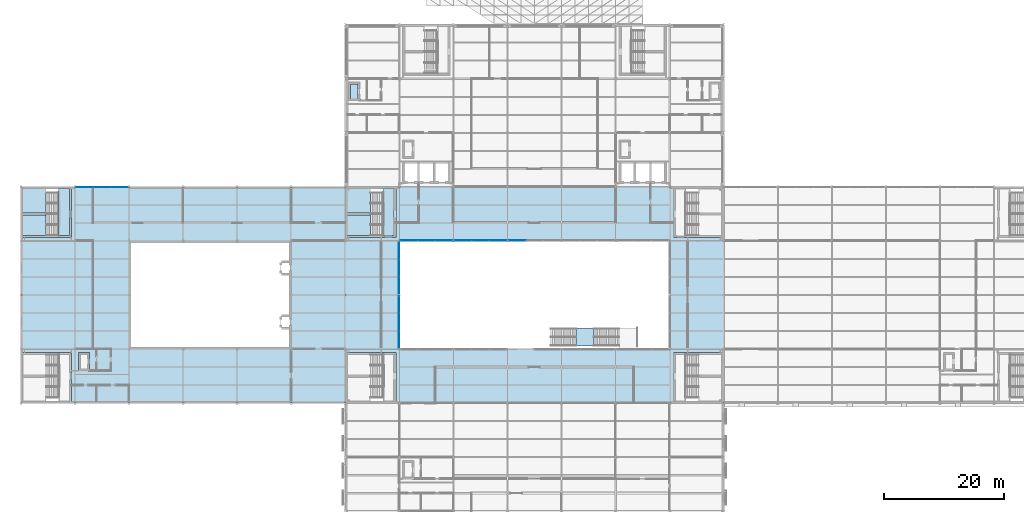
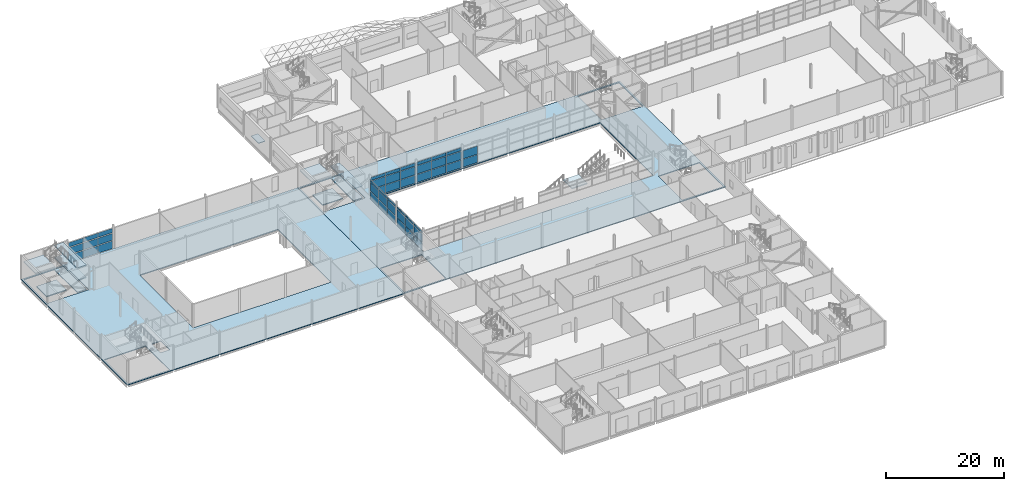
# One storey, part 69 of 112: 47 plates, 13 slabs, 9 elements without a shape of their own.
"""IFC4 building model written with IfcOpenShell, lengths in metres."""

from ifc_helpers import new_model, si_unit, direction, frame, origin, origin_2d, place, context, subcontext, project, spatial, polyline, rectangle, outline, extrude, material, layer, layer_set, type_object, element, aggregate, save


model = new_model("IFC4")

# Units and contexts
model_context = context("Model", 3, precision=1e-05, world=origin(), true_north=direction((0.0, 1.0)))
body_context = subcontext(model_context, "Body", "Model", "MODEL_VIEW")
ifc_project = project(units=[si_unit("LENGTHUNIT", "METRE"), si_unit("AREAUNIT", "SQUARE_METRE"), si_unit("VOLUMEUNIT", "CUBIC_METRE"), si_unit("PLANEANGLEUNIT", "RADIAN"), si_unit("MASSUNIT", "GRAM", prefix="KILO")], contexts=[model_context])

# Site, building, storey
site_placement = place(None, origin())
site = spatial("IfcSite", under=ifc_project, at=site_placement, CompositionType="ELEMENT")
building_placement = place(site_placement, origin())
building = spatial("IfcBuilding", under=site, at=building_placement, Name="Shorebreak Coast Museum", CompositionType="ELEMENT")
storey_placement = place(building_placement, frame((0.0, 0.0, 6.0)))
storey = spatial("IfcBuildingStorey", under=building, at=storey_placement, Name="L01", CompositionType="ELEMENT", Elevation=6.0)

# Stair, slab
ifc_material_1 = material(Name="Concrete N40 (40 MPa)", Category="concrete")
stair_type_1 = type_object("IfcStairType", Name="Feature stair run 5 m", PredefinedType="TWO_STRAIGHT_RUN_STAIR", material=ifc_material_1)
stair_1_placement = place(storey_placement, origin())
stair_1 = element("IfcStair", 1, at=stair_1_placement, inside=storey, type_object=stair_type_1, Name="Feature stair FS-L01", PredefinedType="TWO_STRAIGHT_RUN_STAIR")
ifc_material_2 = material(Name="Concrete N40 (40 MPa)", Category="concrete")
ifc_layer_1 = layer(ifc_material_2, 0.199951171875)
ifc_layer_set_1 = layer_set([ifc_layer_1], Name="Concrete N40 (40 MPa)")
slab_type_1 = type_object("IfcSlabType", Name="Feature stair landing 200", PredefinedType="LANDING", material=ifc_layer_set_1)
slab_1_placement = place(storey_placement, frame((0.0, 0.0, 2.300048828125)))
slab_1 = element("IfcSlab", 2, at=slab_1_placement, type_object=slab_type_1, Name="FS-L01 landing 1", PredefinedType="LANDING", context=body_context, shape_type="SweptSolid", body=[
    extrude(outline(polyline([(92.39990234375, 63.5), (95.39990234375, 63.5), (95.39990234375, 66.5), (92.39990234375, 66.5), (92.39990234375, 63.5)])), origin(), (0.0, 0.0, 1.0), 0.199951171875),
])
aggregate(stair_1, [slab_1])

# Curtain wall, plates
ifc_material_3 = material(Name="Aluminium", Category="aluminium")
ifc_layer_2 = layer(ifc_material_3, 0.1201171875)
ifc_layer_set_2 = layer_set([ifc_layer_2], Name="Aluminium")
curtain_wall_type_1 = type_object("IfcCurtainWallType", Name="Atrium fire screen", PredefinedType="NOTDEFINED", material=ifc_layer_set_2)
curtain_wall_1_placement = place(storey_placement, origin())
curtain_wall_1 = element("IfcCurtainWall", 3, at=curtain_wall_1_placement, inside=storey, type_object=curtain_wall_type_1, Name="Atrium screen L01 N 7", PredefinedType="NOTDEFINED")
ifc_material_4 = material(Name="Glass", Category="glass")
ifc_layer_3 = layer(ifc_material_4, 0.034912109375)
ifc_layer_set_3 = layer_set([ifc_layer_3], Name="Glass")
plate_type_1 = type_object("IfcPlateType", Name="Fire-resisting glass panel 35", PredefinedType="CURTAIN_PANEL", material=ifc_layer_set_3)
plate_1_placement = place(storey_placement, frame((64.6162109375, 81.06005859375, 0.119873046875), z_axis=(0.0, 0.0, 1.0), x_axis=(1.0, 0.0, 0.0)))
plate_1 = element("IfcPlate", 4, at=plate_1_placement, type_object=plate_type_1, Name="CW5 panel 1.1", PredefinedType="CURTAIN_PANEL", context=body_context, shape_type="SweptSolid", body=[
    extrude(rectangle(XDim=2.8212890625, YDim=0.034912109375, at=origin_2d()), origin(), (0.0, 0.0, 1.0), 1.6201171875),
])
plate_2_placement = place(storey_placement, frame((64.6162109375, 81.06005859375, 1.85986328125), z_axis=(0.0, 0.0, 1.0), x_axis=(1.0, 0.0, 0.0)))
plate_2 = element("IfcPlate", 5, at=plate_2_placement, type_object=plate_type_1, Name="CW5 panel 1.2", PredefinedType="CURTAIN_PANEL", context=body_context, shape_type="SweptSolid", body=[
    extrude(rectangle(XDim=2.8212890625, YDim=0.034912109375, at=origin_2d()), origin(), (0.0, 0.0, 1.0), 1.679931640625),
])
plate_3_placement = place(storey_placement, frame((64.6162109375, 81.06005859375, 3.66015625), z_axis=(0.0, 0.0, 1.0), x_axis=(1.0, 0.0, 0.0)))
plate_3 = element("IfcPlate", 6, at=plate_3_placement, type_object=plate_type_1, Name="CW5 panel 1.3", PredefinedType="CURTAIN_PANEL", context=body_context, shape_type="SweptSolid", body=[
    extrude(rectangle(XDim=2.8212890625, YDim=0.034912109375, at=origin_2d()), origin(), (0.0, 0.0, 1.0), 0.642333984375),
])
plate_4_placement = place(storey_placement, frame((67.5, 81.06005859375, 0.119873046875), z_axis=(0.0, 0.0, 1.0), x_axis=(1.0, 0.0, 0.0)))
plate_4 = element("IfcPlate", 7, at=plate_4_placement, type_object=plate_type_1, Name="CW5 panel 2.1", PredefinedType="CURTAIN_PANEL", context=body_context, shape_type="SweptSolid", body=[
    extrude(rectangle(XDim=2.846435546875, YDim=0.034912109375, at=origin_2d()), origin(), (0.0, 0.0, 1.0), 1.6201171875),
])
plate_5_placement = place(storey_placement, frame((67.5, 81.06005859375, 1.85986328125), z_axis=(0.0, 0.0, 1.0), x_axis=(1.0, 0.0, 0.0)))
plate_5 = element("IfcPlate", 8, at=plate_5_placement, type_object=plate_type_1, Name="CW5 panel 2.2", PredefinedType="CURTAIN_PANEL", context=body_context, shape_type="SweptSolid", body=[
    extrude(rectangle(XDim=2.846435546875, YDim=0.034912109375, at=origin_2d()), origin(), (0.0, 0.0, 1.0), 1.679931640625),
])
plate_6_placement = place(storey_placement, frame((67.5, 81.06005859375, 3.66015625), z_axis=(0.0, 0.0, 1.0), x_axis=(1.0, 0.0, 0.0)))
plate_6 = element("IfcPlate", 9, at=plate_6_placement, type_object=plate_type_1, Name="CW5 panel 2.3", PredefinedType="CURTAIN_PANEL", context=body_context, shape_type="SweptSolid", body=[
    extrude(rectangle(XDim=2.846435546875, YDim=0.034912109375, at=origin_2d()), origin(), (0.0, 0.0, 1.0), 0.642333984375),
])
plate_7_placement = place(storey_placement, frame((70.3837890625, 81.06005859375, 0.119873046875), z_axis=(0.0, 0.0, 1.0), x_axis=(1.0, 0.0, 0.0)))
plate_7 = element("IfcPlate", 10, at=plate_7_placement, type_object=plate_type_1, Name="CW5 panel 3.1", PredefinedType="CURTAIN_PANEL", context=body_context, shape_type="SweptSolid", body=[
    extrude(rectangle(XDim=2.8212890625, YDim=0.034912109375, at=origin_2d()), origin(), (0.0, 0.0, 1.0), 1.6201171875),
])
plate_8_placement = place(storey_placement, frame((70.3837890625, 81.06005859375, 1.85986328125), z_axis=(0.0, 0.0, 1.0), x_axis=(1.0, 0.0, 0.0)))
plate_8 = element("IfcPlate", 11, at=plate_8_placement, type_object=plate_type_1, Name="CW5 panel 3.2", PredefinedType="CURTAIN_PANEL", context=body_context, shape_type="SweptSolid", body=[
    extrude(rectangle(XDim=2.8212890625, YDim=0.034912109375, at=origin_2d()), origin(), (0.0, 0.0, 1.0), 1.679931640625),
])
plate_9_placement = place(storey_placement, frame((70.3837890625, 81.06005859375, 3.66015625), z_axis=(0.0, 0.0, 1.0), x_axis=(1.0, 0.0, 0.0)))
plate_9 = element("IfcPlate", 12, at=plate_9_placement, type_object=plate_type_1, Name="CW5 panel 3.3", PredefinedType="CURTAIN_PANEL", context=body_context, shape_type="SweptSolid", body=[
    extrude(rectangle(XDim=2.8212890625, YDim=0.034912109375, at=origin_2d()), origin(), (0.0, 0.0, 1.0), 0.642333984375),
])
aggregate(curtain_wall_1, [plate_1, plate_2, plate_3, plate_4, plate_5, plate_6, plate_7, plate_8, plate_9])

curtain_wall_2_placement = place(storey_placement, origin())
curtain_wall_2 = element("IfcCurtainWall", 13, at=curtain_wall_2_placement, inside=storey, type_object=curtain_wall_type_1, Name="Atrium screen L01 N 8", PredefinedType="NOTDEFINED")
plate_10_placement = place(storey_placement, frame((73.6162109375, 81.06005859375, 0.119873046875), z_axis=(0.0, 0.0, 1.0), x_axis=(1.0, 0.0, 0.0)))
plate_10 = element("IfcPlate", 14, at=plate_10_placement, type_object=plate_type_1, Name="CW6 panel 1.1", PredefinedType="CURTAIN_PANEL", context=body_context, shape_type="SweptSolid", body=[
    extrude(rectangle(XDim=2.8212890625, YDim=0.034912109375, at=origin_2d()), origin(), (0.0, 0.0, 1.0), 1.6201171875),
])
plate_11_placement = place(storey_placement, frame((73.6162109375, 81.06005859375, 1.85986328125), z_axis=(0.0, 0.0, 1.0), x_axis=(1.0, 0.0, 0.0)))
plate_11 = element("IfcPlate", 15, at=plate_11_placement, type_object=plate_type_1, Name="CW6 panel 1.2", PredefinedType="CURTAIN_PANEL", context=body_context, shape_type="SweptSolid", body=[
    extrude(rectangle(XDim=2.8212890625, YDim=0.034912109375, at=origin_2d()), origin(), (0.0, 0.0, 1.0), 1.679931640625),
])
plate_12_placement = place(storey_placement, frame((73.6162109375, 81.06005859375, 3.66015625), z_axis=(0.0, 0.0, 1.0), x_axis=(1.0, 0.0, 0.0)))
plate_12 = element("IfcPlate", 16, at=plate_12_placement, type_object=plate_type_1, Name="CW6 panel 1.3", PredefinedType="CURTAIN_PANEL", context=body_context, shape_type="SweptSolid", body=[
    extrude(rectangle(XDim=2.8212890625, YDim=0.034912109375, at=origin_2d()), origin(), (0.0, 0.0, 1.0), 0.642333984375),
])
plate_13_placement = place(storey_placement, frame((76.5, 81.06005859375, 0.119873046875), z_axis=(0.0, 0.0, 1.0), x_axis=(1.0, 0.0, 0.0)))
plate_13 = element("IfcPlate", 17, at=plate_13_placement, type_object=plate_type_1, Name="CW6 panel 2.1", PredefinedType="CURTAIN_PANEL", context=body_context, shape_type="SweptSolid", body=[
    extrude(rectangle(XDim=2.846435546875, YDim=0.034912109375, at=origin_2d()), origin(), (0.0, 0.0, 1.0), 1.6201171875),
])
plate_14_placement = place(storey_placement, frame((76.5, 81.06005859375, 1.85986328125), z_axis=(0.0, 0.0, 1.0), x_axis=(1.0, 0.0, 0.0)))
plate_14 = element("IfcPlate", 18, at=plate_14_placement, type_object=plate_type_1, Name="CW6 panel 2.2", PredefinedType="CURTAIN_PANEL", context=body_context, shape_type="SweptSolid", body=[
    extrude(rectangle(XDim=2.846435546875, YDim=0.034912109375, at=origin_2d()), origin(), (0.0, 0.0, 1.0), 1.679931640625),
])
plate_15_placement = place(storey_placement, frame((76.5, 81.06005859375, 3.66015625), z_axis=(0.0, 0.0, 1.0), x_axis=(1.0, 0.0, 0.0)))
plate_15 = element("IfcPlate", 19, at=plate_15_placement, type_object=plate_type_1, Name="CW6 panel 2.3", PredefinedType="CURTAIN_PANEL", context=body_context, shape_type="SweptSolid", body=[
    extrude(rectangle(XDim=2.846435546875, YDim=0.034912109375, at=origin_2d()), origin(), (0.0, 0.0, 1.0), 0.642333984375),
])
plate_16_placement = place(storey_placement, frame((79.3837890625, 81.06005859375, 0.119873046875), z_axis=(0.0, 0.0, 1.0), x_axis=(1.0, 0.0, 0.0)))
plate_16 = element("IfcPlate", 20, at=plate_16_placement, type_object=plate_type_1, Name="CW6 panel 3.1", PredefinedType="CURTAIN_PANEL", context=body_context, shape_type="SweptSolid", body=[
    extrude(rectangle(XDim=2.8212890625, YDim=0.034912109375, at=origin_2d()), origin(), (0.0, 0.0, 1.0), 1.6201171875),
])
plate_17_placement = place(storey_placement, frame((79.3837890625, 81.06005859375, 1.85986328125), z_axis=(0.0, 0.0, 1.0), x_axis=(1.0, 0.0, 0.0)))
plate_17 = element("IfcPlate", 21, at=plate_17_placement, type_object=plate_type_1, Name="CW6 panel 3.2", PredefinedType="CURTAIN_PANEL", context=body_context, shape_type="SweptSolid", body=[
    extrude(rectangle(XDim=2.8212890625, YDim=0.034912109375, at=origin_2d()), origin(), (0.0, 0.0, 1.0), 1.679931640625),
])
plate_18_placement = place(storey_placement, frame((79.3837890625, 81.06005859375, 3.66015625), z_axis=(0.0, 0.0, 1.0), x_axis=(1.0, 0.0, 0.0)))
plate_18 = element("IfcPlate", 22, at=plate_18_placement, type_object=plate_type_1, Name="CW6 panel 3.3", PredefinedType="CURTAIN_PANEL", context=body_context, shape_type="SweptSolid", body=[
    extrude(rectangle(XDim=2.8212890625, YDim=0.034912109375, at=origin_2d()), origin(), (0.0, 0.0, 1.0), 0.642333984375),
])
aggregate(curtain_wall_2, [plate_10, plate_11, plate_12, plate_13, plate_14, plate_15, plate_16, plate_17, plate_18])

curtain_wall_3_placement = place(storey_placement, origin())
curtain_wall_3 = element("IfcCurtainWall", 23, at=curtain_wall_3_placement, inside=storey, type_object=curtain_wall_type_1, Name="Atrium screen L01 N 9", PredefinedType="NOTDEFINED")
plate_19_placement = place(storey_placement, frame((82.6162109375, 81.06005859375, 0.119873046875), z_axis=(0.0, 0.0, 1.0), x_axis=(1.0, 0.0, 0.0)))
plate_19 = element("IfcPlate", 24, at=plate_19_placement, type_object=plate_type_1, Name="CW4 panel 1.1", PredefinedType="CURTAIN_PANEL", context=body_context, shape_type="SweptSolid", body=[
    extrude(rectangle(XDim=2.8212890625, YDim=0.034912109375, at=origin_2d()), origin(), (0.0, 0.0, 1.0), 1.6201171875),
])
plate_20_placement = place(storey_placement, frame((82.6162109375, 81.06005859375, 1.85986328125), z_axis=(0.0, 0.0, 1.0), x_axis=(1.0, 0.0, 0.0)))
plate_20 = element("IfcPlate", 25, at=plate_20_placement, type_object=plate_type_1, Name="CW4 panel 1.2", PredefinedType="CURTAIN_PANEL", context=body_context, shape_type="SweptSolid", body=[
    extrude(rectangle(XDim=2.8212890625, YDim=0.034912109375, at=origin_2d()), origin(), (0.0, 0.0, 1.0), 1.679931640625),
])
aggregate(curtain_wall_3, [plate_19, plate_20])

curtain_wall_4_placement = place(storey_placement, origin())
curtain_wall_4 = element("IfcCurtainWall", 26, at=curtain_wall_4_placement, inside=storey, type_object=curtain_wall_type_1, Name="Atrium screen L01 W 12", PredefinedType="NOTDEFINED")
plate_21_placement = place(storey_placement, frame((62.93994140625, 64.63330078125, 0.119873046875), z_axis=(0.0, 0.0, 1.0), x_axis=(0.0, 1.0, 0.0)))
plate_21 = element("IfcPlate", 27, at=plate_21_placement, type_object=plate_type_1, Name="CW4 panel 1.1", PredefinedType="CURTAIN_PANEL", context=body_context, shape_type="SweptSolid", body=[
    extrude(rectangle(XDim=2.811279296875, YDim=0.034912109375, at=origin_2d()), origin(), (0.0, 0.0, 1.0), 1.6201171875),
])
plate_22_placement = place(storey_placement, frame((62.93994140625, 64.63330078125, 1.85986328125), z_axis=(0.0, 0.0, 1.0), x_axis=(0.0, 1.0, 0.0)))
plate_22 = element("IfcPlate", 28, at=plate_22_placement, type_object=plate_type_1, Name="CW4 panel 1.2", PredefinedType="CURTAIN_PANEL", context=body_context, shape_type="SweptSolid", body=[
    extrude(rectangle(XDim=2.811279296875, YDim=0.034912109375, at=origin_2d()), origin(), (0.0, 0.0, 1.0), 1.679931640625),
])
plate_23_placement = place(storey_placement, frame((62.93994140625, 64.63330078125, 3.659912109375), z_axis=(0.0, 0.0, 1.0), x_axis=(0.0, 1.0, 0.0)))
plate_23 = element("IfcPlate", 29, at=plate_23_placement, type_object=plate_type_1, Name="CW4 panel 1.3", PredefinedType="CURTAIN_PANEL", context=body_context, shape_type="SweptSolid", body=[
    extrude(rectangle(XDim=2.811279296875, YDim=0.034912109375, at=origin_2d()), origin(), (0.0, 0.0, 1.0), 0.43798828125),
])
plate_24_placement = place(storey_placement, frame((62.93994140625, 67.507080078125, 0.119873046875), z_axis=(0.0, 0.0, 1.0), x_axis=(0.0, 1.0, 0.0)))
plate_24 = element("IfcPlate", 30, at=plate_24_placement, type_object=plate_type_1, Name="CW4 panel 2.1", PredefinedType="CURTAIN_PANEL", context=body_context, shape_type="SweptSolid", body=[
    extrude(rectangle(XDim=2.836181640625, YDim=0.034912109375, at=origin_2d()), origin(), (0.0, 0.0, 1.0), 1.6201171875),
])
plate_25_placement = place(storey_placement, frame((62.93994140625, 67.507080078125, 1.85986328125), z_axis=(0.0, 0.0, 1.0), x_axis=(0.0, 1.0, 0.0)))
plate_25 = element("IfcPlate", 31, at=plate_25_placement, type_object=plate_type_1, Name="CW4 panel 2.2", PredefinedType="CURTAIN_PANEL", context=body_context, shape_type="SweptSolid", body=[
    extrude(rectangle(XDim=2.836181640625, YDim=0.034912109375, at=origin_2d()), origin(), (0.0, 0.0, 1.0), 1.679931640625),
])
plate_26_placement = place(storey_placement, frame((62.93994140625, 67.507080078125, 3.659912109375), z_axis=(0.0, 0.0, 1.0), x_axis=(0.0, 1.0, 0.0)))
plate_26 = element("IfcPlate", 32, at=plate_26_placement, type_object=plate_type_1, Name="CW4 panel 2.3", PredefinedType="CURTAIN_PANEL", context=body_context, shape_type="SweptSolid", body=[
    extrude(rectangle(XDim=2.836181640625, YDim=0.034912109375, at=origin_2d()), origin(), (0.0, 0.0, 1.0), 0.43798828125),
])
plate_27_placement = place(storey_placement, frame((62.93994140625, 70.380859375, 0.119873046875), z_axis=(0.0, 0.0, 1.0), x_axis=(0.0, 1.0, 0.0)))
plate_27 = element("IfcPlate", 33, at=plate_27_placement, type_object=plate_type_1, Name="CW4 panel 3.1", PredefinedType="CURTAIN_PANEL", context=body_context, shape_type="SweptSolid", body=[
    extrude(rectangle(XDim=2.811279296875, YDim=0.034912109375, at=origin_2d()), origin(), (0.0, 0.0, 1.0), 1.6201171875),
])
plate_28_placement = place(storey_placement, frame((62.93994140625, 70.380859375, 1.85986328125), z_axis=(0.0, 0.0, 1.0), x_axis=(0.0, 1.0, 0.0)))
plate_28 = element("IfcPlate", 34, at=plate_28_placement, type_object=plate_type_1, Name="CW4 panel 3.2", PredefinedType="CURTAIN_PANEL", context=body_context, shape_type="SweptSolid", body=[
    extrude(rectangle(XDim=2.811279296875, YDim=0.034912109375, at=origin_2d()), origin(), (0.0, 0.0, 1.0), 1.679931640625),
])
plate_29_placement = place(storey_placement, frame((62.93994140625, 70.380859375, 3.659912109375), z_axis=(0.0, 0.0, 1.0), x_axis=(0.0, 1.0, 0.0)))
plate_29 = element("IfcPlate", 35, at=plate_29_placement, type_object=plate_type_1, Name="CW4 panel 3.3", PredefinedType="CURTAIN_PANEL", context=body_context, shape_type="SweptSolid", body=[
    extrude(rectangle(XDim=2.811279296875, YDim=0.034912109375, at=origin_2d()), origin(), (0.0, 0.0, 1.0), 0.43798828125),
])
aggregate(curtain_wall_4, [plate_21, plate_22, plate_23, plate_24, plate_25, plate_26, plate_27, plate_28, plate_29])

curtain_wall_5_placement = place(storey_placement, origin())
curtain_wall_5 = element("IfcCurtainWall", 36, at=curtain_wall_5_placement, inside=storey, type_object=curtain_wall_type_1, Name="Atrium screen L01 W 13", PredefinedType="NOTDEFINED")
plate_30_placement = place(storey_placement, frame((62.93994140625, 73.619140625, 0.119873046875), z_axis=(0.0, 0.0, 1.0), x_axis=(0.0, 1.0, 0.0)))
plate_30 = element("IfcPlate", 37, at=plate_30_placement, type_object=plate_type_1, Name="CW5 panel 1.1", PredefinedType="CURTAIN_PANEL", context=body_context, shape_type="SweptSolid", body=[
    extrude(rectangle(XDim=2.811279296875, YDim=0.034912109375, at=origin_2d()), origin(), (0.0, 0.0, 1.0), 1.6201171875),
])
plate_31_placement = place(storey_placement, frame((62.93994140625, 73.619140625, 1.85986328125), z_axis=(0.0, 0.0, 1.0), x_axis=(0.0, 1.0, 0.0)))
plate_31 = element("IfcPlate", 38, at=plate_31_placement, type_object=plate_type_1, Name="CW5 panel 1.2", PredefinedType="CURTAIN_PANEL", context=body_context, shape_type="SweptSolid", body=[
    extrude(rectangle(XDim=2.811279296875, YDim=0.034912109375, at=origin_2d()), origin(), (0.0, 0.0, 1.0), 1.679931640625),
])
plate_32_placement = place(storey_placement, frame((62.93994140625, 73.619140625, 3.659912109375), z_axis=(0.0, 0.0, 1.0), x_axis=(0.0, 1.0, 0.0)))
plate_32 = element("IfcPlate", 39, at=plate_32_placement, type_object=plate_type_1, Name="CW5 panel 1.3", PredefinedType="CURTAIN_PANEL", context=body_context, shape_type="SweptSolid", body=[
    extrude(rectangle(XDim=2.811279296875, YDim=0.034912109375, at=origin_2d()), origin(), (0.0, 0.0, 1.0), 0.43310546875),
])
plate_33_placement = place(storey_placement, frame((62.93994140625, 76.492919921875, 0.119873046875), z_axis=(0.0, 0.0, 1.0), x_axis=(0.0, 1.0, 0.0)))
plate_33 = element("IfcPlate", 40, at=plate_33_placement, type_object=plate_type_1, Name="CW5 panel 2.1", PredefinedType="CURTAIN_PANEL", context=body_context, shape_type="SweptSolid", body=[
    extrude(rectangle(XDim=2.836181640625, YDim=0.034912109375, at=origin_2d()), origin(), (0.0, 0.0, 1.0), 1.6201171875),
])
plate_34_placement = place(storey_placement, frame((62.93994140625, 76.492919921875, 1.85986328125), z_axis=(0.0, 0.0, 1.0), x_axis=(0.0, 1.0, 0.0)))
plate_34 = element("IfcPlate", 41, at=plate_34_placement, type_object=plate_type_1, Name="CW5 panel 2.2", PredefinedType="CURTAIN_PANEL", context=body_context, shape_type="SweptSolid", body=[
    extrude(rectangle(XDim=2.836181640625, YDim=0.034912109375, at=origin_2d()), origin(), (0.0, 0.0, 1.0), 1.679931640625),
])
plate_35_placement = place(storey_placement, frame((62.93994140625, 76.492919921875, 3.659912109375), z_axis=(0.0, 0.0, 1.0), x_axis=(0.0, 1.0, 0.0)))
plate_35 = element("IfcPlate", 42, at=plate_35_placement, type_object=plate_type_1, Name="CW5 panel 2.3", PredefinedType="CURTAIN_PANEL", context=body_context, shape_type="SweptSolid", body=[
    extrude(rectangle(XDim=2.836181640625, YDim=0.034912109375, at=origin_2d()), origin(), (0.0, 0.0, 1.0), 0.43310546875),
])
plate_36_placement = place(storey_placement, frame((62.93994140625, 79.36669921875, 0.119873046875), z_axis=(0.0, 0.0, 1.0), x_axis=(0.0, 1.0, 0.0)))
plate_36 = element("IfcPlate", 43, at=plate_36_placement, type_object=plate_type_1, Name="CW5 panel 3.1", PredefinedType="CURTAIN_PANEL", context=body_context, shape_type="SweptSolid", body=[
    extrude(rectangle(XDim=2.811279296875, YDim=0.034912109375, at=origin_2d()), origin(), (0.0, 0.0, 1.0), 1.6201171875),
])
plate_37_placement = place(storey_placement, frame((62.93994140625, 79.36669921875, 1.85986328125), z_axis=(0.0, 0.0, 1.0), x_axis=(0.0, 1.0, 0.0)))
plate_37 = element("IfcPlate", 44, at=plate_37_placement, type_object=plate_type_1, Name="CW5 panel 3.2", PredefinedType="CURTAIN_PANEL", context=body_context, shape_type="SweptSolid", body=[
    extrude(rectangle(XDim=2.811279296875, YDim=0.034912109375, at=origin_2d()), origin(), (0.0, 0.0, 1.0), 1.679931640625),
])
plate_38_placement = place(storey_placement, frame((62.93994140625, 79.36669921875, 3.659912109375), z_axis=(0.0, 0.0, 1.0), x_axis=(0.0, 1.0, 0.0)))
plate_38 = element("IfcPlate", 45, at=plate_38_placement, type_object=plate_type_1, Name="CW5 panel 3.3", PredefinedType="CURTAIN_PANEL", context=body_context, shape_type="SweptSolid", body=[
    extrude(rectangle(XDim=2.811279296875, YDim=0.034912109375, at=origin_2d()), origin(), (0.0, 0.0, 1.0), 0.43310546875),
])
aggregate(curtain_wall_5, [plate_30, plate_31, plate_32, plate_33, plate_34, plate_35, plate_36, plate_37, plate_38])

# Slabs
ifc_material_5 = material(Name="Concrete N40 (40 MPa)", Category="concrete")
ifc_layer_4 = layer(ifc_material_5, 0.175048828125)
ifc_layer_set_4 = layer_set([ifc_layer_4], Name="Concrete N40 (40 MPa)")
slab_type_2 = type_object("IfcSlabType", Name="Floor slab 175 concrete N40", PredefinedType="FLOOR", material=ifc_layer_set_4)
slab_2_placement = place(storey_placement, frame((0.0, 0.0, -0.175048828125)))
element("IfcSlab", 46, at=slab_2_placement, inside=storey, type_object=slab_type_2, Name="Floor slab L01 crossing", PredefinedType="FLOOR", context=body_context, shape_type="SweptSolid", body=[
    extrude(outline(polyline([(54.0, 54.0), (117.0, 54.0), (117.0, 90.0), (54.0, 90.0), (54.0, 54.0)]), holes=[polyline([(108.0, 81.0), (108.0, 63.0), (63.0, 63.0), (63.0, 81.0), (108.0, 81.0)]), polyline([(62.39990234375, 54.300048828125), (54.300048828125, 54.300048828125), (54.300048828125, 62.39990234375), (62.39990234375, 62.39990234375), (62.39990234375, 54.300048828125)]), polyline([(108.60009765625, 54.300048828125), (108.60009765625, 62.39990234375), (116.699951171875, 62.39990234375), (116.699951171875, 54.300048828125), (108.60009765625, 54.300048828125)]), polyline([(54.300048828125, 89.699951171875), (62.39990234375, 89.699951171875), (62.39990234375, 81.60009765625), (54.300048828125, 81.60009765625), (54.300048828125, 89.699951171875)]), polyline([(116.699951171875, 89.699951171875), (116.699951171875, 81.60009765625), (108.60009765625, 81.60009765625), (108.60009765625, 89.699951171875), (116.699951171875, 89.699951171875)])]), origin(), (0.0, 0.0, 1.0), 0.175048828125),
])
slab_3_placement = place(storey_placement, frame((0.0, 0.0, -0.175048828125)))
element("IfcSlab", 47, at=slab_3_placement, inside=storey, type_object=slab_type_2, Name="Floor slab L01 west arm", PredefinedType="FLOOR", context=body_context, shape_type="SweptSolid", body=[
    extrude(outline(polyline([(54.0, 54.0), (54.0, 90.0), (0.0, 90.0), (0.0, 54.0), (54.0, 54.0)]), holes=[polyline([(45.0, 63.0), (18.0, 63.0), (18.0, 81.0), (45.0, 81.0), (45.0, 63.0)]), polyline([(9.60009765625, 59.39990234375), (9.60009765625, 62.39990234375), (11.39990234375, 62.39990234375), (11.39990234375, 59.39990234375), (9.60009765625, 59.39990234375)]), polyline([(0.300048828125, 62.39990234375), (8.39990234375, 62.39990234375), (8.39990234375, 54.300048828125), (0.300048828125, 54.300048828125), (0.300048828125, 62.39990234375)]), polyline([(8.39990234375, 89.699951171875), (8.39990234375, 81.60009765625), (0.300048828125, 81.60009765625), (0.300048828125, 89.699951171875), (8.39990234375, 89.699951171875)])]), origin(), (0.0, 0.0, 1.0), 0.175048828125),
])
ifc_material_6 = material(Name="Concrete N40 (40 MPa)", Category="concrete")
ifc_layer_5 = layer(ifc_material_6, 0.10009765625)
ifc_layer_set_5 = layer_set([ifc_layer_5], Name="Concrete N40 (40 MPa)")
slab_type_3 = type_object("IfcSlabType", Name="Riser platform 100", PredefinedType="USERDEFINED", material=ifc_layer_set_5)
slab_4_placement = place(storey_placement, frame((0.0, 0.0, -0.10009765625)))
element("IfcSlab", 48, at=slab_4_placement, inside=storey, type_object=slab_type_3, Name="Riser platform R-WC-N1 L01", ObjectType="RISER PLATFORM", PredefinedType="USERDEFINED", context=body_context, shape_type="SweptSolid", body=[
    extrude(outline(polyline([(54.85009765625, 104.64990234375), (56.14990234375, 104.64990234375), (56.14990234375, 107.14990234375), (54.85009765625, 107.14990234375), (54.85009765625, 104.64990234375)])), origin(), (0.0, 0.0, 1.0), 0.10009765625),
])

# Stair, slabs
ifc_material_7 = material(Name="Concrete N40 (40 MPa)", Category="concrete")
stair_type_2 = type_object("IfcStairType", Name="Stair run 5 m", PredefinedType="DOUBLE_RETURN_STAIR", material=ifc_material_7)
stair_2_placement = place(storey_placement, origin())
stair_2 = element("IfcStair", 49, at=stair_2_placement, inside=storey, type_object=stair_type_2, Name="Exit stair ST03-L01", PredefinedType="DOUBLE_RETURN_STAIR")
ifc_material_8 = material(Name="Concrete N40 (40 MPa)", Category="concrete")
ifc_layer_6 = layer(ifc_material_8, 0.199951171875)
ifc_layer_set_6 = layer_set([ifc_layer_6], Name="Concrete N40 (40 MPa)")
slab_type_4 = type_object("IfcSlabType", Name="Stair landing 200", PredefinedType="LANDING", material=ifc_layer_set_6)
slab_5_placement = place(storey_placement, frame((0.0, 0.0, -0.199951171875)))
slab_5 = element("IfcSlab", 50, at=slab_5_placement, type_object=slab_type_4, Name="ST03-L01 landing 1", PredefinedType="LANDING", context=body_context, shape_type="SweptSolid", body=[
    extrude(outline(polyline([(60.300048828125, 81.89990234375), (62.10009765625, 81.89990234375), (62.10009765625, 89.699951171875), (60.300048828125, 89.699951171875), (60.300048828125, 81.89990234375)])), origin(), (0.0, 0.0, 1.0), 0.199951171875),
])
slab_6_placement = place(storey_placement, frame((0.0, 0.0, 2.300048828125)))
slab_6 = element("IfcSlab", 51, at=slab_6_placement, type_object=slab_type_4, Name="ST03-L01 landing 2", PredefinedType="LANDING", context=body_context, shape_type="SweptSolid", body=[
    extrude(outline(polyline([(60.300048828125, 81.89990234375), (62.10009765625, 81.89990234375), (62.10009765625, 89.699951171875), (60.300048828125, 89.699951171875), (60.300048828125, 81.89990234375)])), origin(), (0.0, 0.0, 1.0), 0.199951171875),
])
slab_7_placement = place(storey_placement, frame((0.0, 0.0, 1.050048828125)))
slab_7 = element("IfcSlab", 52, at=slab_7_placement, type_object=slab_type_4, Name="ST03-L01 landing 3", PredefinedType="LANDING", context=body_context, shape_type="SweptSolid", body=[
    extrude(outline(polyline([(54.300048828125, 81.89990234375), (58.199951171875, 81.89990234375), (58.199951171875, 85.35009765625), (54.300048828125, 85.35009765625), (54.300048828125, 81.89990234375)])), origin(), (0.0, 0.0, 1.0), 0.199951171875),
])
slab_8_placement = place(storey_placement, frame((0.0, 0.0, 3.550048828125)))
slab_8 = element("IfcSlab", 53, at=slab_8_placement, type_object=slab_type_4, Name="ST03-L01 landing 4", PredefinedType="LANDING", context=body_context, shape_type="SweptSolid", body=[
    extrude(outline(polyline([(54.300048828125, 85.64990234375), (58.199951171875, 85.64990234375), (58.199951171875, 89.699951171875), (54.300048828125, 89.699951171875), (54.300048828125, 85.64990234375)])), origin(), (0.0, 0.0, 1.0), 0.199951171875),
])
aggregate(stair_2, [slab_5, slab_6, slab_7, slab_8])

stair_3_placement = place(storey_placement, origin())
stair_3 = element("IfcStair", 54, at=stair_3_placement, inside=storey, type_object=stair_type_2, Name="Exit stair ST06-L01", PredefinedType="DOUBLE_RETURN_STAIR")
slab_9_placement = place(storey_placement, frame((0.0, 0.0, -0.199951171875)))
slab_9 = element("IfcSlab", 55, at=slab_9_placement, type_object=slab_type_4, Name="ST06-L01 landing 1", PredefinedType="LANDING", context=body_context, shape_type="SweptSolid", body=[
    extrude(outline(polyline([(6.300048828125, 81.89990234375), (8.10009765625, 81.89990234375), (8.10009765625, 89.699951171875), (6.300048828125, 89.699951171875), (6.300048828125, 81.89990234375)])), origin(), (0.0, 0.0, 1.0), 0.199951171875),
])
slab_10_placement = place(storey_placement, frame((0.0, 0.0, 2.300048828125)))
slab_10 = element("IfcSlab", 56, at=slab_10_placement, type_object=slab_type_4, Name="ST06-L01 landing 2", PredefinedType="LANDING", context=body_context, shape_type="SweptSolid", body=[
    extrude(outline(polyline([(6.300048828125, 81.89990234375), (8.10009765625, 81.89990234375), (8.10009765625, 89.699951171875), (6.300048828125, 89.699951171875), (6.300048828125, 81.89990234375)])), origin(), (0.0, 0.0, 1.0), 0.199951171875),
])
slab_11_placement = place(storey_placement, frame((0.0, 0.0, 1.050048828125)))
slab_11 = element("IfcSlab", 57, at=slab_11_placement, type_object=slab_type_4, Name="ST06-L01 landing 3", PredefinedType="LANDING", context=body_context, shape_type="SweptSolid", body=[
    extrude(outline(polyline([(0.300048828125, 81.89990234375), (4.199951171875, 81.89990234375), (4.199951171875, 85.35009765625), (0.300048828125, 85.35009765625), (0.300048828125, 81.89990234375)])), origin(), (0.0, 0.0, 1.0), 0.199951171875),
])
slab_12_placement = place(storey_placement, frame((0.0, 0.0, 3.550048828125)))
slab_12 = element("IfcSlab", 58, at=slab_12_placement, type_object=slab_type_4, Name="ST06-L01 landing 4", PredefinedType="LANDING", context=body_context, shape_type="SweptSolid", body=[
    extrude(outline(polyline([(0.300048828125, 85.64990234375), (4.199951171875, 85.64990234375), (4.199951171875, 89.699951171875), (0.300048828125, 89.699951171875), (0.300048828125, 85.64990234375)])), origin(), (0.0, 0.0, 1.0), 0.199951171875),
])
slab_13_placement = place(storey_placement, frame((0.0, 0.0, 4.800048828125)))
slab_13 = element("IfcSlab", 59, at=slab_13_placement, type_object=slab_type_4, Name="ST06-L01 landing 5", PredefinedType="LANDING", context=body_context, shape_type="SweptSolid", body=[
    extrude(outline(polyline([(6.300048828125, 81.89990234375), (8.10009765625, 81.89990234375), (8.10009765625, 89.699951171875), (6.300048828125, 89.699951171875), (6.300048828125, 81.89990234375)])), origin(), (0.0, 0.0, 1.0), 0.199951171875),
])
aggregate(stair_3, [slab_9, slab_10, slab_11, slab_12, slab_13])

# Curtain wall, plates
ifc_material_9 = material(Name="Aluminium", Category="aluminium")
ifc_layer_7 = layer(ifc_material_9, 0.14990234375)
ifc_layer_set_7 = layer_set([ifc_layer_7], Name="Aluminium")
curtain_wall_type_2 = type_object("IfcCurtainWallType", Name="Storefront curtain wall", PredefinedType="NOTDEFINED", material=ifc_layer_set_7)
curtain_wall_6_placement = place(storey_placement, origin())
curtain_wall_6 = element("IfcCurtainWall", 60, at=curtain_wall_6_placement, inside=storey, type_object=curtain_wall_type_2, Name="Storefront L01 N 12", PredefinedType="NOTDEFINED")
ifc_material_10 = material(Name="Glass", Category="glass")
ifc_layer_8 = layer(ifc_material_10, 0.031982421875)
ifc_layer_set_8 = layer_set([ifc_layer_8], Name="Glass")
plate_type_2 = type_object("IfcPlateType", Name="Storefront glass panel 32", PredefinedType="CURTAIN_PANEL", material=ifc_layer_set_8)
plate_39_placement = place(storey_placement, frame((10.612548828125, 89.925048828125, 0.14990234375), z_axis=(0.0, 0.0, 1.0), x_axis=(1.0, 0.0, 0.0)))
plate_39 = element("IfcPlate", 61, at=plate_39_placement, type_object=plate_type_2, Name="CW8 panel 1.1", PredefinedType="CURTAIN_PANEL", context=body_context, shape_type="SweptSolid", body=[
    extrude(rectangle(XDim=2.824951171875, YDim=0.031982421875, at=origin_2d()), origin(), (0.0, 0.0, 1.0), 1.562744140625),
])
plate_40_placement = place(storey_placement, frame((10.612548828125, 89.925048828125, 1.86279296875), z_axis=(0.0, 0.0, 1.0), x_axis=(1.0, 0.0, 0.0)))
plate_40 = element("IfcPlate", 62, at=plate_40_placement, type_object=plate_type_2, Name="CW8 panel 1.2", PredefinedType="CURTAIN_PANEL", context=body_context, shape_type="SweptSolid", body=[
    extrude(rectangle(XDim=2.824951171875, YDim=0.031982421875, at=origin_2d()), origin(), (0.0, 0.0, 1.0), 1.414306640625),
])
plate_41_placement = place(storey_placement, frame((10.612548828125, 89.925048828125, 3.42724609375), z_axis=(0.0, 0.0, 1.0), x_axis=(1.0, 0.0, 0.0)))
plate_41 = element("IfcPlate", 63, at=plate_41_placement, type_object=plate_type_2, Name="CW8 panel 1.3", PredefinedType="CURTAIN_PANEL", context=body_context, shape_type="SweptSolid", body=[
    extrude(rectangle(XDim=2.824951171875, YDim=0.031982421875, at=origin_2d()), origin(), (0.0, 0.0, 1.0), 0.892333984375),
])
plate_42_placement = place(storey_placement, frame((13.5, 89.925048828125, 0.14990234375), z_axis=(0.0, 0.0, 1.0), x_axis=(1.0, 0.0, 0.0)))
plate_42 = element("IfcPlate", 64, at=plate_42_placement, type_object=plate_type_2, Name="CW8 panel 2.1", PredefinedType="CURTAIN_PANEL", context=body_context, shape_type="SweptSolid", body=[
    extrude(rectangle(XDim=2.85009765625, YDim=0.031982421875, at=origin_2d()), origin(), (0.0, 0.0, 1.0), 1.562744140625),
])
plate_43_placement = place(storey_placement, frame((13.5, 89.925048828125, 1.86279296875), z_axis=(0.0, 0.0, 1.0), x_axis=(1.0, 0.0, 0.0)))
plate_43 = element("IfcPlate", 65, at=plate_43_placement, type_object=plate_type_2, Name="CW8 panel 2.2", PredefinedType="CURTAIN_PANEL", context=body_context, shape_type="SweptSolid", body=[
    extrude(rectangle(XDim=2.85009765625, YDim=0.031982421875, at=origin_2d()), origin(), (0.0, 0.0, 1.0), 1.414306640625),
])
plate_44_placement = place(storey_placement, frame((13.5, 89.925048828125, 3.42724609375), z_axis=(0.0, 0.0, 1.0), x_axis=(1.0, 0.0, 0.0)))
plate_44 = element("IfcPlate", 66, at=plate_44_placement, type_object=plate_type_2, Name="CW8 panel 2.3", PredefinedType="CURTAIN_PANEL", context=body_context, shape_type="SweptSolid", body=[
    extrude(rectangle(XDim=2.85009765625, YDim=0.031982421875, at=origin_2d()), origin(), (0.0, 0.0, 1.0), 0.892333984375),
])
plate_45_placement = place(storey_placement, frame((16.387451171875, 89.925048828125, 0.14990234375), z_axis=(0.0, 0.0, 1.0), x_axis=(1.0, 0.0, 0.0)))
plate_45 = element("IfcPlate", 67, at=plate_45_placement, type_object=plate_type_2, Name="CW8 panel 3.1", PredefinedType="CURTAIN_PANEL", context=body_context, shape_type="SweptSolid", body=[
    extrude(rectangle(XDim=2.824951171875, YDim=0.031982421875, at=origin_2d()), origin(), (0.0, 0.0, 1.0), 1.562744140625),
])
plate_46_placement = place(storey_placement, frame((16.387451171875, 89.925048828125, 1.86279296875), z_axis=(0.0, 0.0, 1.0), x_axis=(1.0, 0.0, 0.0)))
plate_46 = element("IfcPlate", 68, at=plate_46_placement, type_object=plate_type_2, Name="CW8 panel 3.2", PredefinedType="CURTAIN_PANEL", context=body_context, shape_type="SweptSolid", body=[
    extrude(rectangle(XDim=2.824951171875, YDim=0.031982421875, at=origin_2d()), origin(), (0.0, 0.0, 1.0), 1.414306640625),
])
plate_47_placement = place(storey_placement, frame((16.387451171875, 89.925048828125, 3.42724609375), z_axis=(0.0, 0.0, 1.0), x_axis=(1.0, 0.0, 0.0)))
plate_47 = element("IfcPlate", 69, at=plate_47_placement, type_object=plate_type_2, Name="CW8 panel 3.3", PredefinedType="CURTAIN_PANEL", context=body_context, shape_type="SweptSolid", body=[
    extrude(rectangle(XDim=2.824951171875, YDim=0.031982421875, at=origin_2d()), origin(), (0.0, 0.0, 1.0), 0.892333984375),
])
aggregate(curtain_wall_6, [plate_39, plate_40, plate_41, plate_42, plate_43, plate_44, plate_45, plate_46, plate_47])

save(model, "model.ifc")
